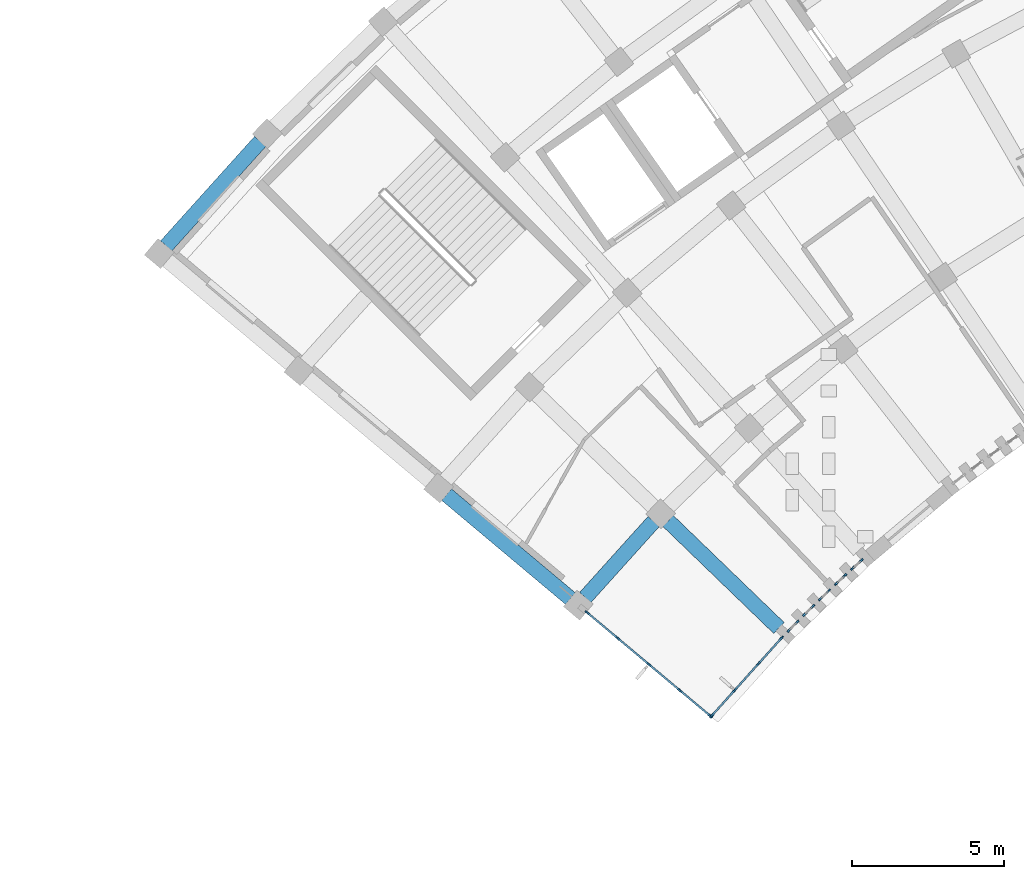
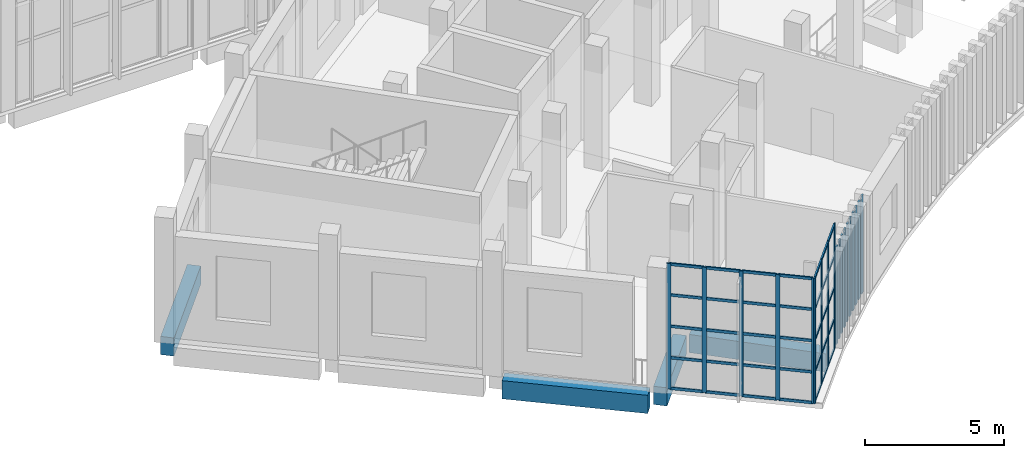
# One storey, part 3 of 112: 54 members, 4 beams, 7 elements without a shape of their own.
"""IFC4 building model written with IfcOpenShell, lengths in metres."""

from ifc_helpers import new_model, si_unit, direction, frame, origin, origin_2d, place, context, subcontext, project, spatial, rectangle, extrude, material, layer, layer_set, material_profile, profile_set, type_object, element, aggregate, save


model = new_model("IFC4")

# Units and contexts
model_context = context("Model", 3, precision=1e-05, world=origin(), true_north=direction((0.0, 1.0)))
body_context = subcontext(model_context, "Body", "Model", "MODEL_VIEW")
ifc_project = project(units=[si_unit("LENGTHUNIT", "METRE"), si_unit("AREAUNIT", "SQUARE_METRE"), si_unit("VOLUMEUNIT", "CUBIC_METRE"), si_unit("PLANEANGLEUNIT", "RADIAN"), si_unit("MASSUNIT", "GRAM", prefix="KILO")], contexts=[model_context])

# Site, building, storey
site_placement = place(None, origin())
site = spatial("IfcSite", under=ifc_project, at=site_placement, CompositionType="ELEMENT")
building_placement = place(site_placement, origin())
building = spatial("IfcBuilding", under=site, at=building_placement, Name="Lunette Opera House", CompositionType="ELEMENT")
storey_placement = place(building_placement, frame((0.0, 0.0, 6.0)))
storey = spatial("IfcBuildingStorey", under=building, at=storey_placement, Name="L01", CompositionType="ELEMENT", Elevation=6.0)

# Curtain wall, members
ifc_material_1 = material(Name="Aluminium", Category="aluminium")
ifc_layer_1 = layer(ifc_material_1, 0.1201171875)
ifc_layer_set_1 = layer_set([ifc_layer_1], Name="Aluminium")
curtain_wall_type_1 = type_object("IfcCurtainWallType", Name="SLOT CURTAIN WALL", PredefinedType="NOTDEFINED", material=ifc_layer_set_1)
curtain_wall_1_placement = place(storey_placement, origin())
curtain_wall_1 = element("IfcCurtainWall", 1, at=curtain_wall_1_placement, inside=storey, type_object=curtain_wall_type_1, Name="Slot Curtain Wall CS001 L01", PredefinedType="NOTDEFINED")
ifc_material_2 = material(Name="Aluminium", Category="aluminium")
ifc_material_profile_1 = material_profile(ifc_material_2, rectangle(XDim=0.06005859375, YDim=0.159912109375, at=origin_2d()), Name="MULLION 60 X 160")
ifc_profile_set_1 = profile_set([ifc_material_profile_1], Name="Aluminium")
member_type_1 = type_object("IfcMemberType", Name="MULLION 60 X 160", PredefinedType="MULLION", material=ifc_profile_set_1)
member_1_placement = place(storey_placement, frame((58.50390625, 36.45947265625, 0.0), z_axis=(0.0, 0.0, 1.0), x_axis=(-0.715187202406, 0.698932947796, 0.0)))
member_1 = element("IfcMember", 2, at=member_1_placement, type_object=member_type_1, Name="FC-X2002 mullion 1", PredefinedType="MULLION", context=body_context, shape_type="SweptSolid", body=[
    extrude(rectangle(XDim=0.06005859375, YDim=0.159912109375, at=origin_2d()), origin(), (0.0, 0.0, 1.0), 4.300048828125),
])
member_2_placement = place(storey_placement, frame((58.762939453125, 36.724609375, 0.0), z_axis=(0.0, 0.0, 1.0), x_axis=(-0.715187202406, 0.698932947796, 0.0)))
member_2 = element("IfcMember", 3, at=member_2_placement, type_object=member_type_1, Name="FC-X2002 mullion 2", PredefinedType="MULLION", context=body_context, shape_type="SweptSolid", body=[
    extrude(rectangle(XDim=0.06005859375, YDim=0.159912109375, at=origin_2d()), origin(), (0.0, 0.0, 1.0), 4.300048828125),
])
aggregate(curtain_wall_1, [member_1, member_2])

curtain_wall_2_placement = place(storey_placement, origin())
curtain_wall_2 = element("IfcCurtainWall", 4, at=curtain_wall_2_placement, inside=storey, type_object=curtain_wall_type_1, Name="Slot Curtain Wall CS002 L01", PredefinedType="NOTDEFINED")
member_3_placement = place(storey_placement, frame((59.016357421875, 36.980224609375, 0.0), z_axis=(0.0, 0.0, 1.0), x_axis=(-0.703614959454, 0.710581444194, 0.0)))
member_3 = element("IfcMember", 5, at=member_3_placement, type_object=member_type_1, Name="FC-X2004 mullion 1", PredefinedType="MULLION", context=body_context, shape_type="SweptSolid", body=[
    extrude(rectangle(XDim=0.06005859375, YDim=0.159912109375, at=origin_2d()), origin(), (0.0, 0.0, 1.0), 4.300048828125),
])
member_4_placement = place(storey_placement, frame((59.27978515625, 37.240966796875, 0.0), z_axis=(0.0, 0.0, 1.0), x_axis=(-0.703614959454, 0.710581444194, 0.0)))
member_4 = element("IfcMember", 6, at=member_4_placement, type_object=member_type_1, Name="FC-X2004 mullion 2", PredefinedType="MULLION", context=body_context, shape_type="SweptSolid", body=[
    extrude(rectangle(XDim=0.06005859375, YDim=0.159912109375, at=origin_2d()), origin(), (0.0, 0.0, 1.0), 4.300048828125),
])
aggregate(curtain_wall_2, [member_3, member_4])

curtain_wall_3_placement = place(storey_placement, origin())
curtain_wall_3 = element("IfcCurtainWall", 7, at=curtain_wall_3_placement, inside=storey, type_object=curtain_wall_type_1, Name="Slot Curtain Wall CS003 L01", PredefinedType="NOTDEFINED")
member_5_placement = place(storey_placement, frame((59.53662109375, 37.492919921875, 0.0), z_axis=(0.0, 0.0, 1.0), x_axis=(-0.695382685751, 0.718639631775, 0.0)))
member_5 = element("IfcMember", 8, at=member_5_placement, type_object=member_type_1, Name="FC-X2006 mullion 1", PredefinedType="MULLION", context=body_context, shape_type="SweptSolid", body=[
    extrude(rectangle(XDim=0.06005859375, YDim=0.159912109375, at=origin_2d()), origin(), (0.0, 0.0, 1.0), 4.300048828125),
])
member_6_placement = place(storey_placement, frame((59.802490234375, 37.750244140625, 0.0), z_axis=(0.0, 0.0, 1.0), x_axis=(-0.695382685751, 0.718639631775, 0.0)))
member_6 = element("IfcMember", 9, at=member_6_placement, type_object=member_type_1, Name="FC-X2006 mullion 2", PredefinedType="MULLION", context=body_context, shape_type="SweptSolid", body=[
    extrude(rectangle(XDim=0.06005859375, YDim=0.159912109375, at=origin_2d()), origin(), (0.0, 0.0, 1.0), 4.300048828125),
])
aggregate(curtain_wall_3, [member_5, member_6])

curtain_wall_4_placement = place(storey_placement, origin())
curtain_wall_4 = element("IfcCurtainWall", 10, at=curtain_wall_4_placement, inside=storey, type_object=curtain_wall_type_1, Name="Slot Curtain Wall CS004 L01", PredefinedType="NOTDEFINED")
member_7_placement = place(storey_placement, frame((60.063720703125, 37.99755859375, 0.0), z_axis=(0.0, 0.0, 1.0), x_axis=(-0.685872190933, 0.727722019527, 0.0)))
member_7 = element("IfcMember", 11, at=member_7_placement, type_object=member_type_1, Name="FC-X2008 mullion 1", PredefinedType="MULLION", context=body_context, shape_type="SweptSolid", body=[
    extrude(rectangle(XDim=0.06005859375, YDim=0.159912109375, at=origin_2d()), origin(), (0.0, 0.0, 1.0), 4.300048828125),
])
member_8_placement = place(storey_placement, frame((60.333251953125, 38.25146484375, 0.0), z_axis=(0.0, 0.0, 1.0), x_axis=(-0.685872190933, 0.727722019527, 0.0)))
member_8 = element("IfcMember", 12, at=member_8_placement, type_object=member_type_1, Name="FC-X2008 mullion 2", PredefinedType="MULLION", context=body_context, shape_type="SweptSolid", body=[
    extrude(rectangle(XDim=0.06005859375, YDim=0.159912109375, at=origin_2d()), origin(), (0.0, 0.0, 1.0), 4.300048828125),
])
aggregate(curtain_wall_4, [member_7, member_8])

curtain_wall_5_placement = place(storey_placement, origin())
curtain_wall_5 = element("IfcCurtainWall", 13, at=curtain_wall_5_placement, inside=storey, type_object=curtain_wall_type_1, Name="Slot Curtain Wall CS005 L01", PredefinedType="NOTDEFINED")
member_9_placement = place(storey_placement, frame((60.59716796875, 38.49609375, 0.0), z_axis=(0.0, 0.0, 1.0), x_axis=(-0.673828488716, 0.738887791071, 0.0)))
member_9 = element("IfcMember", 14, at=member_9_placement, type_object=member_type_1, Name="FC-X2010 mullion 1", PredefinedType="MULLION", context=body_context, shape_type="SweptSolid", body=[
    extrude(rectangle(XDim=0.06005859375, YDim=0.159912109375, at=origin_2d()), origin(), (0.0, 0.0, 1.0), 4.300048828125),
])
member_10_placement = place(storey_placement, frame((60.870849609375, 38.745849609375, 0.0), z_axis=(0.0, 0.0, 1.0), x_axis=(-0.673828488716, 0.738887791071, 0.0)))
member_10 = element("IfcMember", 15, at=member_10_placement, type_object=member_type_1, Name="FC-X2010 mullion 2", PredefinedType="MULLION", context=body_context, shape_type="SweptSolid", body=[
    extrude(rectangle(XDim=0.06005859375, YDim=0.159912109375, at=origin_2d()), origin(), (0.0, 0.0, 1.0), 4.300048828125),
])
aggregate(curtain_wall_5, [member_9, member_10])

ifc_material_3 = material(Name="Aluminium", Category="aluminium")
ifc_layer_2 = layer(ifc_material_3, 0.159912109375)
ifc_layer_set_2 = layer_set([ifc_layer_2], Name="Aluminium")
curtain_wall_type_2 = type_object("IfcCurtainWallType", Name="CORNER CURTAIN WALL", PredefinedType="NOTDEFINED", material=ifc_layer_set_2)
curtain_wall_6_placement = place(storey_placement, origin())
curtain_wall_6 = element("IfcCurtainWall", 16, at=curtain_wall_6_placement, inside=storey, type_object=curtain_wall_type_2, Name="Corner Curtain Wall GC-W1 L01", PredefinedType="NOTDEFINED")
member_11_placement = place(storey_placement, frame((58.25390625, 36.20068359375, 0.0), z_axis=(0.0, 0.0, 1.0), x_axis=(0.744216793887, -0.667938143615, 0.0)))
member_11 = element("IfcMember", 17, at=member_11_placement, type_object=member_type_1, Name="FC-X2163 mullion 1", PredefinedType="MULLION", context=body_context, shape_type="SweptSolid", body=[
    extrude(rectangle(XDim=0.06005859375, YDim=0.159912109375, at=origin_2d()), origin(), (0.0, 0.0, 1.0), 5.5),
])
member_12_placement = place(storey_placement, frame((57.49462890625, 35.354736328125, 0.0), z_axis=(0.0, 0.0, 1.0), x_axis=(0.744216793887, -0.667938143615, 0.0)))
member_12 = element("IfcMember", 18, at=member_12_placement, type_object=member_type_1, Name="FC-X2163 mullion 2", PredefinedType="MULLION", context=body_context, shape_type="SweptSolid", body=[
    extrude(rectangle(XDim=0.06005859375, YDim=0.159912109375, at=origin_2d()), origin(), (0.0, 0.0, 1.0), 5.5),
])
member_13_placement = place(storey_placement, frame((56.71533203125, 34.486328125, 0.0), z_axis=(0.0, 0.0, 1.0), x_axis=(0.744216793887, -0.667938143615, 0.0)))
member_13 = element("IfcMember", 19, at=member_13_placement, type_object=member_type_1, Name="FC-X2163 mullion 3", PredefinedType="MULLION", context=body_context, shape_type="SweptSolid", body=[
    extrude(rectangle(XDim=0.06005859375, YDim=0.159912109375, at=origin_2d()), origin(), (0.0, 0.0, 1.0), 5.5),
])
member_14_placement = place(storey_placement, frame((55.9560546875, 33.640380859375, 0.0), z_axis=(0.0, 0.0, 1.0), x_axis=(0.744216793887, -0.667938143615, 0.0)))
member_14 = element("IfcMember", 20, at=member_14_placement, type_object=member_type_1, Name="FC-X2163 mullion 4", PredefinedType="MULLION", context=body_context, shape_type="SweptSolid", body=[
    extrude(rectangle(XDim=0.06005859375, YDim=0.159912109375, at=origin_2d()), origin(), (0.0, 0.0, 1.0), 5.5),
])

curtain_wall_7_placement = place(storey_placement, origin())
curtain_wall_7 = element("IfcCurtainWall", 21, at=curtain_wall_7_placement, inside=storey, type_object=curtain_wall_type_2, Name="Corner Curtain Wall GC-W2 L01", PredefinedType="NOTDEFINED")
member_15_placement = place(storey_placement, frame((55.9130859375, 33.63720703125, 0.0), z_axis=(0.0, 0.0, 1.0), x_axis=(-0.64282816277, -0.766010413212, 0.0)))
member_15 = element("IfcMember", 22, at=member_15_placement, type_object=member_type_1, Name="FC-X2164 mullion 1", PredefinedType="MULLION", context=body_context, shape_type="SweptSolid", body=[
    extrude(rectangle(XDim=0.06005859375, YDim=0.159912109375, at=origin_2d()), origin(), (0.0, 0.0, 1.0), 5.5),
])
member_16_placement = place(storey_placement, frame((54.91162109375, 34.477783203125, 0.0), z_axis=(0.0, 0.0, 1.0), x_axis=(-0.64282816277, -0.766010413212, 0.0)))
member_16 = element("IfcMember", 23, at=member_16_placement, type_object=member_type_1, Name="FC-X2164 mullion 2", PredefinedType="MULLION", context=body_context, shape_type="SweptSolid", body=[
    extrude(rectangle(XDim=0.06005859375, YDim=0.159912109375, at=origin_2d()), origin(), (0.0, 0.0, 1.0), 5.5),
])
member_17_placement = place(storey_placement, frame((53.886962890625, 35.33740234375, 0.0), z_axis=(0.0, 0.0, 1.0), x_axis=(-0.64282816277, -0.766010413212, 0.0)))
member_17 = element("IfcMember", 24, at=member_17_placement, type_object=member_type_1, Name="FC-X2164 mullion 3", PredefinedType="MULLION", context=body_context, shape_type="SweptSolid", body=[
    extrude(rectangle(XDim=0.06005859375, YDim=0.159912109375, at=origin_2d()), origin(), (0.0, 0.0, 1.0), 5.5),
])
member_18_placement = place(storey_placement, frame((52.862548828125, 36.197265625, 0.0), z_axis=(0.0, 0.0, 1.0), x_axis=(-0.64282816277, -0.766010413212, 0.0)))
member_18 = element("IfcMember", 25, at=member_18_placement, type_object=member_type_1, Name="FC-X2164 mullion 4", PredefinedType="MULLION", context=body_context, shape_type="SweptSolid", body=[
    extrude(rectangle(XDim=0.06005859375, YDim=0.159912109375, at=origin_2d()), origin(), (0.0, 0.0, 1.0), 5.5),
])
member_19_placement = place(storey_placement, frame((51.861083984375, 37.03759765625, 0.0), z_axis=(0.0, 0.0, 1.0), x_axis=(-0.64282816277, -0.766010413212, 0.0)))
member_19 = element("IfcMember", 26, at=member_19_placement, type_object=member_type_1, Name="FC-X2164 mullion 5", PredefinedType="MULLION", context=body_context, shape_type="SweptSolid", body=[
    extrude(rectangle(XDim=0.06005859375, YDim=0.159912109375, at=origin_2d()), origin(), (0.0, 0.0, 1.0), 5.5),
])

# Beams
ifc_material_4 = material(Name="Concrete C35/45", Category="concrete")
ifc_material_profile_2 = material_profile(ifc_material_4, rectangle(XDim=0.5, YDim=0.800048828125, at=origin_2d()), Name="RC BEAM 500X800")
ifc_profile_set_2 = profile_set([ifc_material_profile_2], Name="Concrete C35/45")
beam_type = type_object("IfcBeamType", Name="RC BEAM 500X800", PredefinedType="BEAM", material=ifc_profile_set_2)
beam_1_placement = place(storey_placement, frame((51.30908203125, 37.5, -0.6201171875), z_axis=(-0.766004921062, 0.642834707299, 0.0), x_axis=(-0.642834707299, -0.766004921062, 0.0)))
element("IfcBeam", 27, at=beam_1_placement, inside=storey, type_object=beam_type, Name="beam-FC-L01-L01-RB-RL-01-2", PredefinedType="BEAM", context=body_context, shape_type="SweptSolid", body=[
    extrude(rectangle(XDim=0.5, YDim=0.800048828125, at=origin_2d()), origin(), (0.0, 0.0, 1.0), 5.320068359375),
])
beam_2_placement = place(storey_placement, frame((58.169921875, 36.531982421875, -0.6201171875), z_axis=(-0.719326780477, 0.694671852668, 0.0), x_axis=(-0.694671852668, -0.719326780477, 0.0)))
element("IfcBeam", 28, at=beam_2_placement, inside=storey, type_object=beam_type, Name="beam-FC-L01-L01-RB-RL-02-1", PredefinedType="BEAM", context=body_context, shape_type="SweptSolid", body=[
    extrude(rectangle(XDim=0.5, YDim=0.800048828125, at=origin_2d()), origin(), (0.0, 0.0, 1.0), 5.070068359375),
])
beam_3_placement = place(storey_placement, frame((51.797119140625, 37.534912109375, -0.6201171875), z_axis=(0.669120953551, 0.743153516791, 0.0), x_axis=(-0.743153516791, 0.669120953551, 0.0)))
element("IfcBeam", 29, at=beam_3_placement, inside=storey, type_object=beam_type, Name="beam-FC-L01-L01-RG-AR-M1-RL-01", PredefinedType="BEAM", context=body_context, shape_type="SweptSolid", body=[
    extrude(rectangle(XDim=0.5, YDim=0.800048828125, at=origin_2d()), origin(), (0.0, 0.0, 1.0), 3.366943359375),
])
beam_4_placement = place(storey_placement, frame((38.009033203125, 49.10498046875, -0.6201171875), z_axis=(0.669034751379, 0.743231122496, 0.0), x_axis=(-0.743231122496, 0.669034751379, 0.0)))
element("IfcBeam", 30, at=beam_4_placement, inside=storey, type_object=beam_type, Name="beam-FC-L01-L01-RG-AR-C-RL-01", PredefinedType="BEAM", context=body_context, shape_type="SweptSolid", body=[
    extrude(rectangle(XDim=0.5, YDim=0.800048828125, at=origin_2d()), origin(), (0.0, 0.0, 1.0), 4.623046875),
])

# Member
ifc_material_5 = material(Name="Aluminium", Category="aluminium")
ifc_material_profile_3 = material_profile(ifc_material_5, rectangle(XDim=0.06005859375, YDim=0.1201171875, at=origin_2d()), Name="TRANSOM 60 X 120")
ifc_profile_set_3 = profile_set([ifc_material_profile_3], Name="Aluminium")
member_type_2 = type_object("IfcMemberType", Name="TRANSOM 60 X 120", PredefinedType="USERDEFINED", material=ifc_profile_set_3)
member_20_placement = place(storey_placement, frame((58.23388671875, 36.178466796875, 0.030029296875), z_axis=(-0.667874323451, -0.744274067851, 0.0), x_axis=(0.744274067851, -0.667874323451, 0.0)))
member_20 = element("IfcMember", 31, at=member_20_placement, type_object=member_type_2, Name="FC-X2163 transom 1.1", ObjectType="TRANSOM", PredefinedType="USERDEFINED", context=body_context, shape_type="SweptSolid", body=[
    extrude(rectangle(XDim=0.06005859375, YDim=0.1201171875, at=origin_2d()), origin(), (0.0, 0.0, 1.0), 1.076904296875),
])

member_21_placement = place(storey_placement, frame((58.23388671875, 36.178466796875, 1.375), z_axis=(-0.667874323451, -0.744274067851, 0.0), x_axis=(0.744274067851, -0.667874323451, 0.0)))
member_21 = element("IfcMember", 32, at=member_21_placement, type_object=member_type_2, Name="FC-X2163 transom 1.2", ObjectType="TRANSOM", PredefinedType="USERDEFINED", context=body_context, shape_type="SweptSolid", body=[
    extrude(rectangle(XDim=0.06005859375, YDim=0.1201171875, at=origin_2d()), origin(), (0.0, 0.0, 1.0), 1.076904296875),
])

member_22_placement = place(storey_placement, frame((58.23388671875, 36.178466796875, 2.75), z_axis=(-0.667874323451, -0.744274067851, 0.0), x_axis=(0.744274067851, -0.667874323451, 0.0)))
member_22 = element("IfcMember", 33, at=member_22_placement, type_object=member_type_2, Name="FC-X2163 transom 1.3", ObjectType="TRANSOM", PredefinedType="USERDEFINED", context=body_context, shape_type="SweptSolid", body=[
    extrude(rectangle(XDim=0.06005859375, YDim=0.1201171875, at=origin_2d()), origin(), (0.0, 0.0, 1.0), 1.076904296875),
])

member_23_placement = place(storey_placement, frame((58.23388671875, 36.178466796875, 4.125), z_axis=(-0.667874323451, -0.744274067851, 0.0), x_axis=(0.744274067851, -0.667874323451, 0.0)))
member_23 = element("IfcMember", 34, at=member_23_placement, type_object=member_type_2, Name="FC-X2163 transom 1.4", ObjectType="TRANSOM", PredefinedType="USERDEFINED", context=body_context, shape_type="SweptSolid", body=[
    extrude(rectangle(XDim=0.06005859375, YDim=0.1201171875, at=origin_2d()), origin(), (0.0, 0.0, 1.0), 1.076904296875),
])

member_24_placement = place(storey_placement, frame((58.23388671875, 36.178466796875, 5.469970703125), z_axis=(-0.667874323451, -0.744274067851, 0.0), x_axis=(0.744274067851, -0.667874323451, 0.0)))
member_24 = element("IfcMember", 35, at=member_24_placement, type_object=member_type_2, Name="FC-X2163 transom 1.5", ObjectType="TRANSOM", PredefinedType="USERDEFINED", context=body_context, shape_type="SweptSolid", body=[
    extrude(rectangle(XDim=0.06005859375, YDim=0.1201171875, at=origin_2d()), origin(), (0.0, 0.0, 1.0), 1.076904296875),
])

member_25_placement = place(storey_placement, frame((57.474609375, 35.332275390625, 0.030029296875), z_axis=(-0.667916007316, -0.744236660728, 0.0), x_axis=(0.744236660728, -0.667916007316, 0.0)))
member_25 = element("IfcMember", 36, at=member_25_placement, type_object=member_type_2, Name="FC-X2163 transom 2.1", ObjectType="TRANSOM", PredefinedType="USERDEFINED", context=body_context, shape_type="SweptSolid", body=[
    extrude(rectangle(XDim=0.06005859375, YDim=0.1201171875, at=origin_2d()), origin(), (0.0, 0.0, 1.0), 1.10693359375),
])

member_26_placement = place(storey_placement, frame((57.474609375, 35.332275390625, 1.375), z_axis=(-0.667916007316, -0.744236660728, 0.0), x_axis=(0.744236660728, -0.667916007316, 0.0)))
member_26 = element("IfcMember", 37, at=member_26_placement, type_object=member_type_2, Name="FC-X2163 transom 2.2", ObjectType="TRANSOM", PredefinedType="USERDEFINED", context=body_context, shape_type="SweptSolid", body=[
    extrude(rectangle(XDim=0.06005859375, YDim=0.1201171875, at=origin_2d()), origin(), (0.0, 0.0, 1.0), 1.10693359375),
])

member_27_placement = place(storey_placement, frame((57.474609375, 35.332275390625, 2.75), z_axis=(-0.667916007316, -0.744236660728, 0.0), x_axis=(0.744236660728, -0.667916007316, 0.0)))
member_27 = element("IfcMember", 38, at=member_27_placement, type_object=member_type_2, Name="FC-X2163 transom 2.3", ObjectType="TRANSOM", PredefinedType="USERDEFINED", context=body_context, shape_type="SweptSolid", body=[
    extrude(rectangle(XDim=0.06005859375, YDim=0.1201171875, at=origin_2d()), origin(), (0.0, 0.0, 1.0), 1.10693359375),
])

member_28_placement = place(storey_placement, frame((57.474609375, 35.332275390625, 4.125), z_axis=(-0.667916007316, -0.744236660728, 0.0), x_axis=(0.744236660728, -0.667916007316, 0.0)))
member_28 = element("IfcMember", 39, at=member_28_placement, type_object=member_type_2, Name="FC-X2163 transom 2.4", ObjectType="TRANSOM", PredefinedType="USERDEFINED", context=body_context, shape_type="SweptSolid", body=[
    extrude(rectangle(XDim=0.06005859375, YDim=0.1201171875, at=origin_2d()), origin(), (0.0, 0.0, 1.0), 1.10693359375),
])

member_29_placement = place(storey_placement, frame((57.474609375, 35.332275390625, 5.469970703125), z_axis=(-0.667916007316, -0.744236660728, 0.0), x_axis=(0.744236660728, -0.667916007316, 0.0)))
member_29 = element("IfcMember", 40, at=member_29_placement, type_object=member_type_2, Name="FC-X2163 transom 2.5", ObjectType="TRANSOM", PredefinedType="USERDEFINED", context=body_context, shape_type="SweptSolid", body=[
    extrude(rectangle(XDim=0.06005859375, YDim=0.1201171875, at=origin_2d()), origin(), (0.0, 0.0, 1.0), 1.10693359375),
])

member_30_placement = place(storey_placement, frame((56.6953125, 34.464111328125, 0.030029296875), z_axis=(-0.667874323451, -0.744274067851, 0.0), x_axis=(0.744274067851, -0.667874323451, 0.0)))
member_30 = element("IfcMember", 41, at=member_30_placement, type_object=member_type_2, Name="FC-X2163 transom 3.1", ObjectType="TRANSOM", PredefinedType="USERDEFINED", context=body_context, shape_type="SweptSolid", body=[
    extrude(rectangle(XDim=0.06005859375, YDim=0.1201171875, at=origin_2d()), origin(), (0.0, 0.0, 1.0), 1.076904296875),
])

member_31_placement = place(storey_placement, frame((56.6953125, 34.464111328125, 1.375), z_axis=(-0.667874323451, -0.744274067851, 0.0), x_axis=(0.744274067851, -0.667874323451, 0.0)))
member_31 = element("IfcMember", 42, at=member_31_placement, type_object=member_type_2, Name="FC-X2163 transom 3.2", ObjectType="TRANSOM", PredefinedType="USERDEFINED", context=body_context, shape_type="SweptSolid", body=[
    extrude(rectangle(XDim=0.06005859375, YDim=0.1201171875, at=origin_2d()), origin(), (0.0, 0.0, 1.0), 1.076904296875),
])

member_32_placement = place(storey_placement, frame((56.6953125, 34.464111328125, 2.75), z_axis=(-0.667874323451, -0.744274067851, 0.0), x_axis=(0.744274067851, -0.667874323451, 0.0)))
member_32 = element("IfcMember", 43, at=member_32_placement, type_object=member_type_2, Name="FC-X2163 transom 3.3", ObjectType="TRANSOM", PredefinedType="USERDEFINED", context=body_context, shape_type="SweptSolid", body=[
    extrude(rectangle(XDim=0.06005859375, YDim=0.1201171875, at=origin_2d()), origin(), (0.0, 0.0, 1.0), 1.076904296875),
])

member_33_placement = place(storey_placement, frame((56.6953125, 34.464111328125, 4.125), z_axis=(-0.667874323451, -0.744274067851, 0.0), x_axis=(0.744274067851, -0.667874323451, 0.0)))
member_33 = element("IfcMember", 44, at=member_33_placement, type_object=member_type_2, Name="FC-X2163 transom 3.4", ObjectType="TRANSOM", PredefinedType="USERDEFINED", context=body_context, shape_type="SweptSolid", body=[
    extrude(rectangle(XDim=0.06005859375, YDim=0.1201171875, at=origin_2d()), origin(), (0.0, 0.0, 1.0), 1.076904296875),
])

member_34_placement = place(storey_placement, frame((56.6953125, 34.464111328125, 5.469970703125), z_axis=(-0.667874323451, -0.744274067851, 0.0), x_axis=(0.744274067851, -0.667874323451, 0.0)))
member_34 = element("IfcMember", 45, at=member_34_placement, type_object=member_type_2, Name="FC-X2163 transom 3.5", ObjectType="TRANSOM", PredefinedType="USERDEFINED", context=body_context, shape_type="SweptSolid", body=[
    extrude(rectangle(XDim=0.06005859375, YDim=0.1201171875, at=origin_2d()), origin(), (0.0, 0.0, 1.0), 1.076904296875),
])

aggregate(curtain_wall_6, [member_11, member_12, member_13, member_14, member_20, member_21, member_22, member_23, member_24, member_25, member_26, member_27, member_28, member_29, member_30, member_31, member_32, member_33, member_34])

member_35_placement = place(storey_placement, frame((55.89013671875, 33.656494140625, 0.030029296875), z_axis=(-0.765970812131, 0.642875349476, 0.0), x_axis=(-0.642875349476, -0.765970812131, 0.0)))
member_35 = element("IfcMember", 46, at=member_35_placement, type_object=member_type_2, Name="FC-X2164 transom 1.1", ObjectType="TRANSOM", PredefinedType="USERDEFINED", context=body_context, shape_type="SweptSolid", body=[
    extrude(rectangle(XDim=0.06005859375, YDim=0.1201171875, at=origin_2d()), origin(), (0.0, 0.0, 1.0), 1.24755859375),
])

member_36_placement = place(storey_placement, frame((55.89013671875, 33.656494140625, 1.375), z_axis=(-0.765970812131, 0.642875349476, 0.0), x_axis=(-0.642875349476, -0.765970812131, 0.0)))
member_36 = element("IfcMember", 47, at=member_36_placement, type_object=member_type_2, Name="FC-X2164 transom 1.2", ObjectType="TRANSOM", PredefinedType="USERDEFINED", context=body_context, shape_type="SweptSolid", body=[
    extrude(rectangle(XDim=0.06005859375, YDim=0.1201171875, at=origin_2d()), origin(), (0.0, 0.0, 1.0), 1.24755859375),
])

member_37_placement = place(storey_placement, frame((55.89013671875, 33.656494140625, 2.75), z_axis=(-0.765970812131, 0.642875349476, 0.0), x_axis=(-0.642875349476, -0.765970812131, 0.0)))
member_37 = element("IfcMember", 48, at=member_37_placement, type_object=member_type_2, Name="FC-X2164 transom 1.3", ObjectType="TRANSOM", PredefinedType="USERDEFINED", context=body_context, shape_type="SweptSolid", body=[
    extrude(rectangle(XDim=0.06005859375, YDim=0.1201171875, at=origin_2d()), origin(), (0.0, 0.0, 1.0), 1.24755859375),
])

member_38_placement = place(storey_placement, frame((55.89013671875, 33.656494140625, 4.125), z_axis=(-0.765970812131, 0.642875349476, 0.0), x_axis=(-0.642875349476, -0.765970812131, 0.0)))
member_38 = element("IfcMember", 49, at=member_38_placement, type_object=member_type_2, Name="FC-X2164 transom 1.4", ObjectType="TRANSOM", PredefinedType="USERDEFINED", context=body_context, shape_type="SweptSolid", body=[
    extrude(rectangle(XDim=0.06005859375, YDim=0.1201171875, at=origin_2d()), origin(), (0.0, 0.0, 1.0), 1.24755859375),
])

member_39_placement = place(storey_placement, frame((55.89013671875, 33.656494140625, 5.469970703125), z_axis=(-0.765970812131, 0.642875349476, 0.0), x_axis=(-0.642875349476, -0.765970812131, 0.0)))
member_39 = element("IfcMember", 50, at=member_39_placement, type_object=member_type_2, Name="FC-X2164 transom 1.5", ObjectType="TRANSOM", PredefinedType="USERDEFINED", context=body_context, shape_type="SweptSolid", body=[
    extrude(rectangle(XDim=0.06005859375, YDim=0.1201171875, at=origin_2d()), origin(), (0.0, 0.0, 1.0), 1.24755859375),
])

member_40_placement = place(storey_placement, frame((54.888427734375, 34.4970703125, 0.030029296875), z_axis=(-0.766054919939, 0.642775123692, 0.0), x_axis=(-0.642775123692, -0.766054919939, 0.0)))
member_40 = element("IfcMember", 51, at=member_40_placement, type_object=member_type_2, Name="FC-X2164 transom 2.1", ObjectType="TRANSOM", PredefinedType="USERDEFINED", context=body_context, shape_type="SweptSolid", body=[
    extrude(rectangle(XDim=0.06005859375, YDim=0.1201171875, at=origin_2d()), origin(), (0.0, 0.0, 1.0), 1.27734375),
])

member_41_placement = place(storey_placement, frame((54.888427734375, 34.4970703125, 1.375), z_axis=(-0.766054919939, 0.642775123692, 0.0), x_axis=(-0.642775123692, -0.766054919939, 0.0)))
member_41 = element("IfcMember", 52, at=member_41_placement, type_object=member_type_2, Name="FC-X2164 transom 2.2", ObjectType="TRANSOM", PredefinedType="USERDEFINED", context=body_context, shape_type="SweptSolid", body=[
    extrude(rectangle(XDim=0.06005859375, YDim=0.1201171875, at=origin_2d()), origin(), (0.0, 0.0, 1.0), 1.27734375),
])

member_42_placement = place(storey_placement, frame((54.888427734375, 34.4970703125, 2.75), z_axis=(-0.766054919939, 0.642775123692, 0.0), x_axis=(-0.642775123692, -0.766054919939, 0.0)))
member_42 = element("IfcMember", 53, at=member_42_placement, type_object=member_type_2, Name="FC-X2164 transom 2.3", ObjectType="TRANSOM", PredefinedType="USERDEFINED", context=body_context, shape_type="SweptSolid", body=[
    extrude(rectangle(XDim=0.06005859375, YDim=0.1201171875, at=origin_2d()), origin(), (0.0, 0.0, 1.0), 1.27734375),
])

member_43_placement = place(storey_placement, frame((54.888427734375, 34.4970703125, 4.125), z_axis=(-0.766054919939, 0.642775123692, 0.0), x_axis=(-0.642775123692, -0.766054919939, 0.0)))
member_43 = element("IfcMember", 54, at=member_43_placement, type_object=member_type_2, Name="FC-X2164 transom 2.4", ObjectType="TRANSOM", PredefinedType="USERDEFINED", context=body_context, shape_type="SweptSolid", body=[
    extrude(rectangle(XDim=0.06005859375, YDim=0.1201171875, at=origin_2d()), origin(), (0.0, 0.0, 1.0), 1.27734375),
])

member_44_placement = place(storey_placement, frame((54.888427734375, 34.4970703125, 5.469970703125), z_axis=(-0.766054919939, 0.642775123692, 0.0), x_axis=(-0.642775123692, -0.766054919939, 0.0)))
member_44 = element("IfcMember", 55, at=member_44_placement, type_object=member_type_2, Name="FC-X2164 transom 2.5", ObjectType="TRANSOM", PredefinedType="USERDEFINED", context=body_context, shape_type="SweptSolid", body=[
    extrude(rectangle(XDim=0.06005859375, YDim=0.1201171875, at=origin_2d()), origin(), (0.0, 0.0, 1.0), 1.27734375),
])

member_45_placement = place(storey_placement, frame((53.864013671875, 35.356689453125, 0.030029296875), z_axis=(-0.765960809958, 0.642887266641, 0.0), x_axis=(-0.642887266641, -0.765960809958, 0.0)))
member_45 = element("IfcMember", 56, at=member_45_placement, type_object=member_type_2, Name="FC-X2164 transom 3.1", ObjectType="TRANSOM", PredefinedType="USERDEFINED", context=body_context, shape_type="SweptSolid", body=[
    extrude(rectangle(XDim=0.06005859375, YDim=0.1201171875, at=origin_2d()), origin(), (0.0, 0.0, 1.0), 1.277587890625),
])

member_46_placement = place(storey_placement, frame((53.864013671875, 35.356689453125, 1.375), z_axis=(-0.765960809958, 0.642887266641, 0.0), x_axis=(-0.642887266641, -0.765960809958, 0.0)))
member_46 = element("IfcMember", 57, at=member_46_placement, type_object=member_type_2, Name="FC-X2164 transom 3.2", ObjectType="TRANSOM", PredefinedType="USERDEFINED", context=body_context, shape_type="SweptSolid", body=[
    extrude(rectangle(XDim=0.06005859375, YDim=0.1201171875, at=origin_2d()), origin(), (0.0, 0.0, 1.0), 1.277587890625),
])

member_47_placement = place(storey_placement, frame((53.864013671875, 35.356689453125, 2.75), z_axis=(-0.765960809958, 0.642887266641, 0.0), x_axis=(-0.642887266641, -0.765960809958, 0.0)))
member_47 = element("IfcMember", 58, at=member_47_placement, type_object=member_type_2, Name="FC-X2164 transom 3.3", ObjectType="TRANSOM", PredefinedType="USERDEFINED", context=body_context, shape_type="SweptSolid", body=[
    extrude(rectangle(XDim=0.06005859375, YDim=0.1201171875, at=origin_2d()), origin(), (0.0, 0.0, 1.0), 1.277587890625),
])

member_48_placement = place(storey_placement, frame((53.864013671875, 35.356689453125, 4.125), z_axis=(-0.765960809958, 0.642887266641, 0.0), x_axis=(-0.642887266641, -0.765960809958, 0.0)))
member_48 = element("IfcMember", 59, at=member_48_placement, type_object=member_type_2, Name="FC-X2164 transom 3.4", ObjectType="TRANSOM", PredefinedType="USERDEFINED", context=body_context, shape_type="SweptSolid", body=[
    extrude(rectangle(XDim=0.06005859375, YDim=0.1201171875, at=origin_2d()), origin(), (0.0, 0.0, 1.0), 1.277587890625),
])

member_49_placement = place(storey_placement, frame((53.864013671875, 35.356689453125, 5.469970703125), z_axis=(-0.765960809958, 0.642887266641, 0.0), x_axis=(-0.642887266641, -0.765960809958, 0.0)))
member_49 = element("IfcMember", 60, at=member_49_placement, type_object=member_type_2, Name="FC-X2164 transom 3.5", ObjectType="TRANSOM", PredefinedType="USERDEFINED", context=body_context, shape_type="SweptSolid", body=[
    extrude(rectangle(XDim=0.06005859375, YDim=0.1201171875, at=origin_2d()), origin(), (0.0, 0.0, 1.0), 1.277587890625),
])

member_50_placement = place(storey_placement, frame((52.839599609375, 36.216552734375, 0.030029296875), z_axis=(-0.766067183103, 0.642760508255, 0.0), x_axis=(-0.642760508255, -0.766067183103, 0.0)))
member_50 = element("IfcMember", 61, at=member_50_placement, type_object=member_type_2, Name="FC-X2164 transom 4.1", ObjectType="TRANSOM", PredefinedType="USERDEFINED", context=body_context, shape_type="SweptSolid", body=[
    extrude(rectangle(XDim=0.06005859375, YDim=0.1201171875, at=origin_2d()), origin(), (0.0, 0.0, 1.0), 1.247314453125),
])

member_51_placement = place(storey_placement, frame((52.839599609375, 36.216552734375, 1.375), z_axis=(-0.766067183103, 0.642760508255, 0.0), x_axis=(-0.642760508255, -0.766067183103, 0.0)))
member_51 = element("IfcMember", 62, at=member_51_placement, type_object=member_type_2, Name="FC-X2164 transom 4.2", ObjectType="TRANSOM", PredefinedType="USERDEFINED", context=body_context, shape_type="SweptSolid", body=[
    extrude(rectangle(XDim=0.06005859375, YDim=0.1201171875, at=origin_2d()), origin(), (0.0, 0.0, 1.0), 1.247314453125),
])

member_52_placement = place(storey_placement, frame((52.839599609375, 36.216552734375, 2.75), z_axis=(-0.766067183103, 0.642760508255, 0.0), x_axis=(-0.642760508255, -0.766067183103, 0.0)))
member_52 = element("IfcMember", 63, at=member_52_placement, type_object=member_type_2, Name="FC-X2164 transom 4.3", ObjectType="TRANSOM", PredefinedType="USERDEFINED", context=body_context, shape_type="SweptSolid", body=[
    extrude(rectangle(XDim=0.06005859375, YDim=0.1201171875, at=origin_2d()), origin(), (0.0, 0.0, 1.0), 1.247314453125),
])

member_53_placement = place(storey_placement, frame((52.839599609375, 36.216552734375, 4.125), z_axis=(-0.766067183103, 0.642760508255, 0.0), x_axis=(-0.642760508255, -0.766067183103, 0.0)))
member_53 = element("IfcMember", 64, at=member_53_placement, type_object=member_type_2, Name="FC-X2164 transom 4.4", ObjectType="TRANSOM", PredefinedType="USERDEFINED", context=body_context, shape_type="SweptSolid", body=[
    extrude(rectangle(XDim=0.06005859375, YDim=0.1201171875, at=origin_2d()), origin(), (0.0, 0.0, 1.0), 1.247314453125),
])

member_54_placement = place(storey_placement, frame((52.839599609375, 36.216552734375, 5.469970703125), z_axis=(-0.766067183103, 0.642760508255, 0.0), x_axis=(-0.642760508255, -0.766067183103, 0.0)))
member_54 = element("IfcMember", 65, at=member_54_placement, type_object=member_type_2, Name="FC-X2164 transom 4.5", ObjectType="TRANSOM", PredefinedType="USERDEFINED", context=body_context, shape_type="SweptSolid", body=[
    extrude(rectangle(XDim=0.06005859375, YDim=0.1201171875, at=origin_2d()), origin(), (0.0, 0.0, 1.0), 1.247314453125),
])

aggregate(curtain_wall_7, [member_15, member_16, member_17, member_18, member_19, member_35, member_36, member_37, member_38, member_39, member_40, member_41, member_42, member_43, member_44, member_45, member_46, member_47, member_48, member_49, member_50, member_51, member_52, member_53, member_54])

save(model, "model.ifc")
